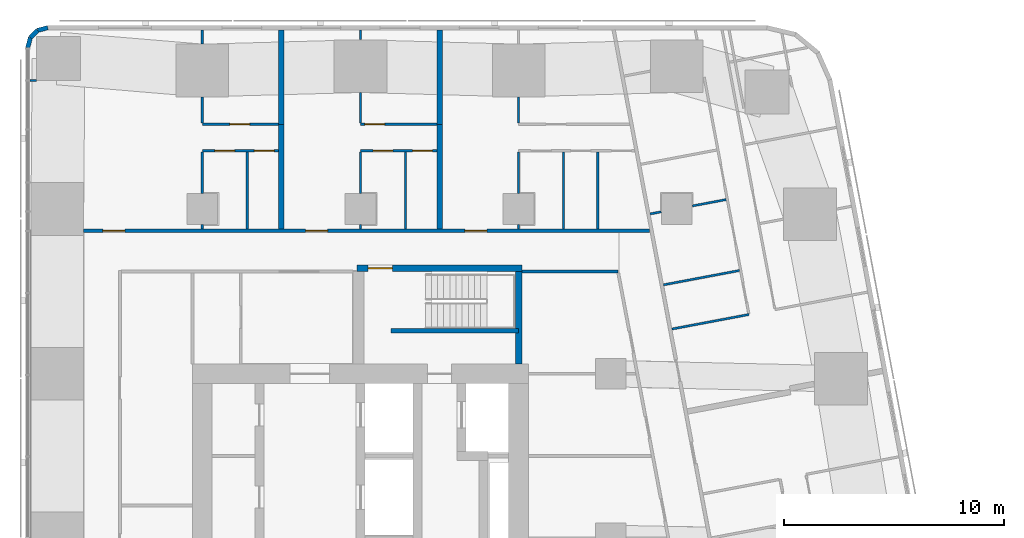
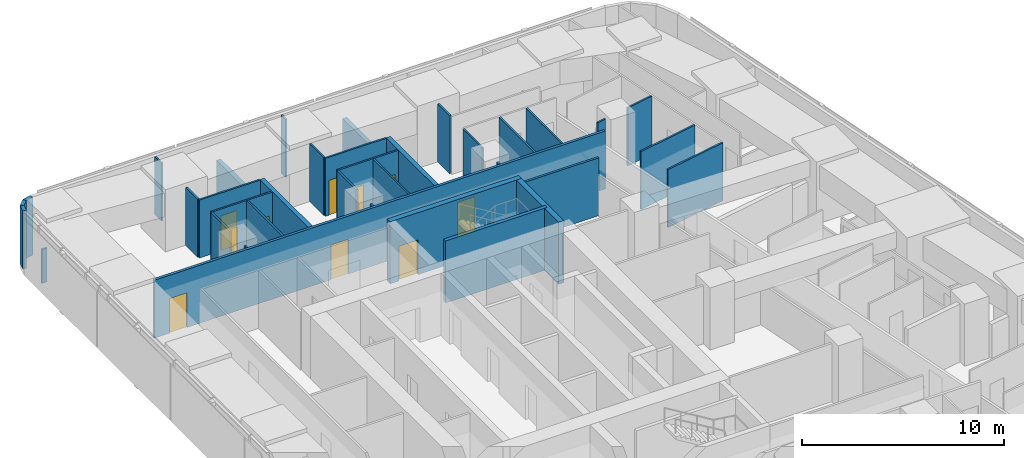
# One storey, part 13 of 17: 36 walls, 10 doors, 10 openings.
"""IFC4 building model written with IfcOpenShell, lengths in metres."""

from ifc_helpers import new_model, si_unit, direction, frame, frame_2d, origin, place, context, subcontext, project, spatial, rectangle, extrude, material, layer, layer_set, type_object, element, fill, save


model = new_model("IFC4")

# Units and contexts
model_context = context("Model", 3, precision=1e-05, world=origin(), true_north=direction((0.0, 1.0)))
body_context = subcontext(model_context, "Body", "Model", "MODEL_VIEW")
ifc_project = project(units=[si_unit("LENGTHUNIT", "METRE"), si_unit("AREAUNIT", "SQUARE_METRE"), si_unit("VOLUMEUNIT", "CUBIC_METRE"), si_unit("PLANEANGLEUNIT", "RADIAN"), si_unit("MASSUNIT", "GRAM", prefix="KILO")], contexts=[model_context])

# Site, building, storey
site_placement = place(None, origin())
site = spatial("IfcSite", under=ifc_project, at=site_placement, CompositionType="ELEMENT")
building_placement = place(site_placement, origin())
building = spatial("IfcBuilding", under=site, at=building_placement, Name="Sheger Commons Tower", CompositionType="ELEMENT")
storey_placement = place(building_placement, frame((0.0, 0.0, 204.949951171875)))
storey = spatial("IfcBuildingStorey", under=building, at=storey_placement, Name="L52", CompositionType="ELEMENT", Elevation=204.949951171875)

# Wall, openings, doors
ifc_material_1 = material(Name="Hollow concrete block masonry, skimmed both sides", Category="masonry")
ifc_layer_1 = layer(ifc_material_1, 0.14990234375)
ifc_layer_set_1 = layer_set([ifc_layer_1], Name="CORRIDOR WALL 150")
wall_type_1 = type_object("IfcWallType", Name="CORRIDOR WALL 150", PredefinedType="SOLIDWALL", material=ifc_layer_set_1)
wall_1_placement = place(storey_placement, frame((9.0009765625, 36.5, 0.0), z_axis=(0.0, 0.0, 1.0), x_axis=(1.0, 0.0, 0.0)))
wall_1 = element("IfcWall", 1, at=wall_1_placement, inside=storey, type_object=wall_type_1, Name="Corridor wall L52", PredefinedType="SOLIDWALL", context=body_context, shape_type="SweptSolid", body=[
    extrude(rectangle(XDim=25.763916015625, YDim=0.14990234375, at=frame_2d((12.8818359375, 0.0))), origin(), (0.0, 0.0, 1.0), 3.5),
])
opening_1_placement = place(wall_1_placement, frame((0.8740234375, 0.0, 0.0)))
opening_1 = element("IfcOpeningElement", 2, at=opening_1_placement, cuts=wall_1, Name="Opening D1", PredefinedType="OPENING", context=body_context, shape_type="SweptSolid", body=[
    extrude(rectangle(XDim=1.0, YDim=2.10009765625, at=frame_2d((0.5, 1.050048828125))), frame((0.0, 0.0849609375, 0.0), z_axis=(0.0, -1.0, 0.0), x_axis=(1.0, 0.0, 0.0)), (0.0, 0.0, 1.0), 0.169921875),
])
opening_2_placement = place(wall_1_placement, frame((10.09912109375, 0.0, 0.0)))
opening_2 = element("IfcOpeningElement", 3, at=opening_2_placement, cuts=wall_1, Name="Opening D1", PredefinedType="OPENING", context=body_context, shape_type="SweptSolid", body=[
    extrude(rectangle(XDim=1.0, YDim=2.10009765625, at=frame_2d((0.5, 1.050048828125))), frame((0.0, 0.0849609375, 0.0), z_axis=(0.0, -1.0, 0.0), x_axis=(1.0, 0.0, 0.0)), (0.0, 0.0, 1.0), 0.169921875),
])
opening_3_placement = place(wall_1_placement, frame((17.35595703125, 0.0, 0.0)))
opening_3 = element("IfcOpeningElement", 4, at=opening_3_placement, cuts=wall_1, Name="Opening D1", PredefinedType="OPENING", context=body_context, shape_type="SweptSolid", body=[
    extrude(rectangle(XDim=1.0, YDim=2.10009765625, at=frame_2d((0.5, 1.050048828125))), frame((0.0, 0.0849609375, 0.0), z_axis=(0.0, -1.0, 0.0), x_axis=(1.0, 0.0, 0.0)), (0.0, 0.0, 1.0), 0.169921875),
])
ifc_material_2 = material(Name="Steel door set, fire rated", Category="steel")
door_type_1 = type_object("IfcDoorType", Name="FLAT ENTRANCE DOOR 1000x2100", OperationType="NOTDEFINED", PredefinedType="DOOR", material=ifc_material_2)
door_1_placement = place(opening_1_placement, origin())
door_1 = element("IfcDoor", 5, at=door_1_placement, inside=storey, type_object=door_type_1, Name="Flat entrance door", OperationType="SINGLE_SWING_LEFT", OverallHeight=2.10009765625, OverallWidth=1.0, PredefinedType="DOOR", context=body_context, shape_type="SweptSolid", body=[
    extrude(rectangle(XDim=1.0, YDim=2.10009765625, at=frame_2d((0.5, 1.050048828125))), frame((0.0, 0.02490234375, 0.0), z_axis=(0.0, -1.0, 0.0), x_axis=(1.0, 0.0, 0.0)), (0.0, 0.0, 1.0), 0.050048828125),
])
fill(opening_1, door_1)
door_2_placement = place(opening_2_placement, origin())
door_2 = element("IfcDoor", 6, at=door_2_placement, inside=storey, type_object=door_type_1, Name="Flat entrance door", OperationType="SINGLE_SWING_LEFT", OverallHeight=2.10009765625, OverallWidth=1.0, PredefinedType="DOOR", context=body_context, shape_type="SweptSolid", body=[
    extrude(rectangle(XDim=1.0, YDim=2.10009765625, at=frame_2d((0.5, 1.050048828125))), frame((0.0, 0.02490234375, 0.0), z_axis=(0.0, -1.0, 0.0), x_axis=(1.0, 0.0, 0.0)), (0.0, 0.0, 1.0), 0.050048828125),
])
fill(opening_2, door_2)
door_3_placement = place(opening_3_placement, origin())
door_3 = element("IfcDoor", 7, at=door_3_placement, inside=storey, type_object=door_type_1, Name="Flat entrance door", OperationType="SINGLE_SWING_LEFT", OverallHeight=2.10009765625, OverallWidth=1.0, PredefinedType="DOOR", context=body_context, shape_type="SweptSolid", body=[
    extrude(rectangle(XDim=1.0, YDim=2.10009765625, at=frame_2d((0.5, 1.050048828125))), frame((0.0, 0.02490234375, 0.0), z_axis=(0.0, -1.0, 0.0), x_axis=(1.0, 0.0, 0.0)), (0.0, 0.0, 1.0), 0.050048828125),
])
fill(opening_3, door_3)

# Walls
ifc_material_3 = material(Name="Dense concrete block masonry, plastered both sides (separating wall between flats)", Category="masonry")
ifc_layer_2 = layer(ifc_material_3, 0.25)
ifc_layer_set_2 = layer_set([ifc_layer_2], Name="DEMISING WALL 250")
wall_type_2 = type_object("IfcWallType", Name="DEMISING WALL 250", PredefinedType="SOLIDWALL", material=ifc_layer_set_2)
wall_2_placement = place(storey_placement, frame((18.0, 41.35009765625, 0.0), z_axis=(0.0, 0.0, 1.0), x_axis=(0.0, 1.0, 0.0)))
element("IfcWall", 8, at=wall_2_placement, inside=storey, type_object=wall_type_2, Name="Demising wall L52", PredefinedType="SOLIDWALL", context=body_context, shape_type="SweptSolid", body=[
    extrude(rectangle(XDim=4.2998046875, YDim=0.25, at=frame_2d((2.14990234375, 0.0))), origin(), (0.0, 0.0, 1.0), 2.050048828125),
])
wall_3_placement = place(storey_placement, frame((18.0, 36.574951171875, 0.0), z_axis=(0.0, 0.0, 1.0), x_axis=(0.0, 1.0, 0.0)))
element("IfcWall", 9, at=wall_3_placement, inside=storey, type_object=wall_type_2, Name="Demising wall L52", PredefinedType="SOLIDWALL", context=body_context, shape_type="SweptSolid", body=[
    extrude(rectangle(XDim=4.775146484375, YDim=0.25, at=frame_2d((2.3876953125, 0.0))), origin(), (0.0, 0.0, 1.0), 3.5),
])
wall_4_placement = place(storey_placement, frame((25.199951171875, 41.35009765625, 0.0), z_axis=(0.0, 0.0, 1.0), x_axis=(0.0, 1.0, 0.0)))
element("IfcWall", 10, at=wall_4_placement, inside=storey, type_object=wall_type_2, Name="Demising wall L52", PredefinedType="SOLIDWALL", context=body_context, shape_type="SweptSolid", body=[
    extrude(rectangle(XDim=4.2998046875, YDim=0.25, at=frame_2d((2.14990234375, 0.0))), origin(), (0.0, 0.0, 1.0), 2.050048828125),
])
wall_5_placement = place(storey_placement, frame((25.199951171875, 36.574951171875, 0.0), z_axis=(0.0, 0.0, 1.0), x_axis=(0.0, 1.0, 0.0)))
element("IfcWall", 11, at=wall_5_placement, inside=storey, type_object=wall_type_2, Name="Demising wall L52", PredefinedType="SOLIDWALL", context=body_context, shape_type="SweptSolid", body=[
    extrude(rectangle(XDim=4.775146484375, YDim=0.25, at=frame_2d((2.3876953125, 0.0))), origin(), (0.0, 0.0, 1.0), 3.5),
])
ifc_material_4 = material(Name="Rendered concrete block masonry, dark grey", Category="masonry")
ifc_layer_3 = layer(ifc_material_4, 0.199951171875)
ifc_layer_set_3 = layer_set([ifc_layer_3], Name="FACADE WALL 200")
wall_type_3 = type_object("IfcWallType", Name="FACADE WALL 200", PredefinedType="SOLIDWALL", material=ifc_layer_set_3)
wall_6_placement = place(storey_placement, frame((7.363037109375, 45.75, 0.0), z_axis=(0.0, 0.0, 1.0), x_axis=(-0.965655254015, -0.259826731483, 0.0)))
element("IfcWall", 12, at=wall_6_placement, inside=storey, type_object=wall_type_3, Name="Facade wall L52", PredefinedType="SOLIDWALL", context=body_context, shape_type="SweptSolid", body=[
    extrude(rectangle(XDim=0.477294921875, YDim=0.199951171875, at=frame_2d((0.23876953125, 0.0))), origin(), (0.0, 0.0, 1.0), 3.5),
])
wall_7_placement = place(storey_placement, frame((6.902099609375, 45.6259765625, 0.0), z_axis=(0.0, 0.0, 1.0), x_axis=(-0.707369890659, -0.706843573776, 0.0)))
element("IfcWall", 13, at=wall_7_placement, inside=storey, type_object=wall_type_3, Name="Facade wall L52", PredefinedType="SOLIDWALL", context=body_context, shape_type="SweptSolid", body=[
    extrude(rectangle(XDim=0.4638671875, YDim=0.199951171875, at=frame_2d((0.23193359375, 0.0))), origin(), (0.0, 0.0, 1.0), 3.5),
])
wall_8_placement = place(storey_placement, frame((6.573974609375, 45.298095703125, 0.0), z_axis=(0.0, 0.0, 1.0), x_axis=(-0.259698463175, -0.965689757751, 0.0)))
element("IfcWall", 14, at=wall_8_placement, inside=storey, type_object=wall_type_3, Name="Facade wall L52", PredefinedType="SOLIDWALL", context=body_context, shape_type="SweptSolid", body=[
    extrude(rectangle(XDim=0.4775390625, YDim=0.199951171875, at=frame_2d((0.23876953125, 0.0))), origin(), (0.0, 0.0, 1.0), 3.5),
])
ifc_material_5 = material(Name="Gypsum board on steel studs", Category="steel")
ifc_layer_4 = layer(ifc_material_5, 0.10009765625)
ifc_layer_set_4 = layer_set([ifc_layer_4], Name="PARTITION 100")
wall_type_4 = type_object("IfcWallType", Name="PARTITION 100", PredefinedType="PARTITIONING", material=ifc_layer_set_4)
wall_9_placement = place(storey_placement, frame((38.25, 37.925048828125, 0.0), z_axis=(0.0, 0.0, 1.0), x_axis=(-0.982610209589, -0.185680305934, 0.0)))
element("IfcWall", 15, at=wall_9_placement, inside=storey, type_object=wall_type_4, Name="Partition L52", PredefinedType="PARTITIONING", context=body_context, shape_type="SweptSolid", body=[
    extrude(rectangle(XDim=1.5673828125, YDim=0.10009765625, at=frame_2d((0.78369140625, 0.0))), origin(), (0.0, 0.0, 1.0), 3.5),
])
wall_10_placement = place(storey_placement, frame((35.2900390625, 37.365966796875, 0.0), z_axis=(0.0, 0.0, 1.0), x_axis=(-0.982715597703, -0.185121727606, 0.0)))
element("IfcWall", 16, at=wall_10_placement, inside=storey, type_object=wall_type_4, Name="Partition L52", PredefinedType="PARTITIONING", context=body_context, shape_type="SweptSolid", body=[
    extrude(rectangle(XDim=0.512939453125, YDim=0.10009765625, at=frame_2d((0.25634765625, 0.0))), origin(), (0.0, 0.0, 1.0), 3.5),
])
wall_11_placement = place(storey_placement, frame((39.2890625, 32.69189453125, 0.0), z_axis=(0.0, 0.0, 1.0), x_axis=(-0.982662827464, -0.185401638399, 0.0)))
element("IfcWall", 17, at=wall_11_placement, inside=storey, type_object=wall_type_4, Name="Partition L52", PredefinedType="PARTITIONING", context=body_context, shape_type="SweptSolid", body=[
    extrude(rectangle(XDim=3.5751953125, YDim=0.10009765625, at=frame_2d((1.78759765625, 0.0))), origin(), (0.0, 0.0, 1.0), 3.5),
])
wall_12_placement = place(storey_placement, frame((38.85888671875, 34.697021484375, 0.0), z_axis=(0.0, 0.0, 1.0), x_axis=(-0.982626628545, -0.185593396635, 0.0)))
element("IfcWall", 18, at=wall_12_placement, inside=storey, type_object=wall_type_4, Name="Partition L52", PredefinedType="PARTITIONING", context=body_context, shape_type="SweptSolid", body=[
    extrude(rectangle(XDim=3.524169921875, YDim=0.10009765625, at=frame_2d((1.76220703125, 0.0))), origin(), (0.0, 0.0, 1.0), 3.5),
])
wall_13_placement = place(storey_placement, frame((6.85400390625, 43.345947265625, 0.0), z_axis=(0.0, 0.0, 1.0), x_axis=(-1.0, 0.0, 0.0)))
element("IfcWall", 19, at=wall_13_placement, inside=storey, type_object=wall_type_4, Name="Partition L52", PredefinedType="PARTITIONING", context=body_context, shape_type="SweptSolid", body=[
    extrude(rectangle(XDim=0.303955078125, YDim=0.10009765625, at=frame_2d((0.15185546875, 0.0))), origin(), (0.0, 0.0, 1.0), 2.050048828125),
])

# Wall, opening, door
wall_14_placement = place(storey_placement, frame((14.39990234375, 41.35009765625, 0.0), z_axis=(0.0, 0.0, 1.0), x_axis=(1.0, 0.0, 0.0)))
wall_14 = element("IfcWall", 20, at=wall_14_placement, inside=storey, type_object=wall_type_4, Name="Partition L52", PredefinedType="PARTITIONING", context=body_context, shape_type="SweptSolid", body=[
    extrude(rectangle(XDim=3.47509765625, YDim=0.10009765625, at=frame_2d((1.737548828125, 0.0))), origin(), (0.0, 0.0, 1.0), 3.5),
])
opening_4_placement = place(wall_14_placement, frame((1.25, 0.0, 0.0)))
opening_4 = element("IfcOpeningElement", 21, at=opening_4_placement, cuts=wall_14, Name="Opening D2", PredefinedType="OPENING", context=body_context, shape_type="SweptSolid", body=[
    extrude(rectangle(XDim=0.89990234375, YDim=2.10009765625, at=frame_2d((0.449951171875, 1.050048828125))), frame((0.0, 0.06005859375, 0.0), z_axis=(0.0, -1.0, 0.0), x_axis=(1.0, 0.0, 0.0)), (0.0, 0.0, 1.0), 0.1201171875),
])
ifc_material_6 = material(Name="Timber door set", Category="wood")
door_type_2 = type_object("IfcDoorType", Name="INTERNAL DOOR 900x2100", OperationType="NOTDEFINED", PredefinedType="DOOR", material=ifc_material_6)
door_4_placement = place(opening_4_placement, origin())
door_4 = element("IfcDoor", 22, at=door_4_placement, inside=storey, type_object=door_type_2, Name="Main bedroom door", OperationType="SINGLE_SWING_LEFT", OverallHeight=2.10009765625, OverallWidth=0.89990234375, PredefinedType="DOOR", context=body_context, shape_type="SweptSolid", body=[
    extrude(rectangle(XDim=0.89990234375, YDim=2.10009765625, at=frame_2d((0.449951171875, 1.050048828125))), frame((0.0, 0.02490234375, 0.0), z_axis=(0.0, -1.0, 0.0), x_axis=(1.0, 0.0, 0.0)), (0.0, 0.0, 1.0), 0.050048828125),
])
fill(opening_4, door_4)

# Wall, openings, doors
wall_15_placement = place(storey_placement, frame((14.39990234375, 40.14990234375, 0.0), z_axis=(0.0, 0.0, 1.0), x_axis=(1.0, 0.0, 0.0)))
wall_15 = element("IfcWall", 23, at=wall_15_placement, inside=storey, type_object=wall_type_4, Name="Partition L52", PredefinedType="PARTITIONING", context=body_context, shape_type="SweptSolid", body=[
    extrude(rectangle(XDim=3.47509765625, YDim=0.10009765625, at=frame_2d((1.737548828125, 0.0))), origin(), (0.0, 0.0, 1.0), 3.5),
])
opening_5_placement = place(wall_15_placement, frame((0.574951171875, 0.0, 0.0)))
opening_5 = element("IfcOpeningElement", 24, at=opening_5_placement, cuts=wall_15, Name="Opening D2", PredefinedType="OPENING", context=body_context, shape_type="SweptSolid", body=[
    extrude(rectangle(XDim=0.89990234375, YDim=2.10009765625, at=frame_2d((0.449951171875, 1.050048828125))), frame((0.0, 0.06005859375, 0.0), z_axis=(0.0, -1.0, 0.0), x_axis=(1.0, 0.0, 0.0)), (0.0, 0.0, 1.0), 0.1201171875),
])
opening_6_placement = place(wall_15_placement, frame((2.375, 0.0, 0.0)))
opening_6 = element("IfcOpeningElement", 25, at=opening_6_placement, cuts=wall_15, Name="Opening D2", PredefinedType="OPENING", context=body_context, shape_type="SweptSolid", body=[
    extrude(rectangle(XDim=0.89990234375, YDim=2.10009765625, at=frame_2d((0.449951171875, 1.050048828125))), frame((0.0, 0.06005859375, 0.0), z_axis=(0.0, -1.0, 0.0), x_axis=(1.0, 0.0, 0.0)), (0.0, 0.0, 1.0), 0.1201171875),
])
door_5_placement = place(opening_5_placement, origin())
door_5 = element("IfcDoor", 26, at=door_5_placement, inside=storey, type_object=door_type_2, Name="Bathroom door", OperationType="SINGLE_SWING_RIGHT", OverallHeight=2.10009765625, OverallWidth=0.89990234375, PredefinedType="DOOR", context=body_context, shape_type="SweptSolid", body=[
    extrude(rectangle(XDim=0.89990234375, YDim=2.10009765625, at=frame_2d((0.449951171875, 1.050048828125))), frame((0.0, 0.02490234375, 0.0), z_axis=(0.0, -1.0, 0.0), x_axis=(1.0, 0.0, 0.0)), (0.0, 0.0, 1.0), 0.050048828125),
])
fill(opening_5, door_5)
door_6_placement = place(opening_6_placement, origin())
door_6 = element("IfcDoor", 27, at=door_6_placement, inside=storey, type_object=door_type_2, Name="Store door", OperationType="SINGLE_SWING_LEFT", OverallHeight=2.10009765625, OverallWidth=0.89990234375, PredefinedType="DOOR", context=body_context, shape_type="SweptSolid", body=[
    extrude(rectangle(XDim=0.89990234375, YDim=2.10009765625, at=frame_2d((0.449951171875, 1.050048828125))), frame((0.0, 0.02490234375, 0.0), z_axis=(0.0, -1.0, 0.0), x_axis=(1.0, 0.0, 0.0)), (0.0, 0.0, 1.0), 0.050048828125),
])
fill(opening_6, door_6)

# Walls
wall_16_placement = place(storey_placement, frame((14.39990234375, 41.39990234375, 0.0), z_axis=(0.0, 0.0, 1.0), x_axis=(0.0, 1.0, 0.0)))
element("IfcWall", 28, at=wall_16_placement, inside=storey, type_object=wall_type_4, Name="Partition L52", PredefinedType="PARTITIONING", context=body_context, shape_type="SweptSolid", body=[
    extrude(rectangle(XDim=1.19921875, YDim=0.10009765625, at=frame_2d((0.599609375, 0.0))), origin(), (0.0, 0.0, 1.0), 3.5),
])
wall_17_placement = place(storey_placement, frame((14.39990234375, 45.0009765625, 0.0), z_axis=(0.0, 0.0, 1.0), x_axis=(0.0, 1.0, 0.0)))
element("IfcWall", 29, at=wall_17_placement, inside=storey, type_object=wall_type_4, Name="Partition L52", PredefinedType="PARTITIONING", context=body_context, shape_type="SweptSolid", body=[
    extrude(rectangle(XDim=0.64892578125, YDim=0.10009765625, at=frame_2d((0.324462890625, 0.0))), origin(), (0.0, 0.0, 1.0), 3.5),
])
wall_18_placement = place(storey_placement, frame((14.39990234375, 36.574951171875, 0.0), z_axis=(0.0, 0.0, 1.0), x_axis=(0.0, 1.0, 0.0)))
element("IfcWall", 30, at=wall_18_placement, inside=storey, type_object=wall_type_4, Name="Partition L52", PredefinedType="PARTITIONING", context=body_context, shape_type="SweptSolid", body=[
    extrude(rectangle(XDim=0.22412109375, YDim=0.10009765625, at=frame_2d((0.112060546875, 0.0))), origin(), (0.0, 0.0, 1.0), 3.5),
])
wall_19_placement = place(storey_placement, frame((14.39990234375, 38.200927734375, 0.0), z_axis=(0.0, 0.0, 1.0), x_axis=(0.0, 1.0, 0.0)))
element("IfcWall", 31, at=wall_19_placement, inside=storey, type_object=wall_type_4, Name="Partition L52", PredefinedType="PARTITIONING", context=body_context, shape_type="SweptSolid", body=[
    extrude(rectangle(XDim=1.899169921875, YDim=0.10009765625, at=frame_2d((0.94970703125, 0.0))), origin(), (0.0, 0.0, 1.0), 3.5),
])
wall_20_placement = place(storey_placement, frame((16.449951171875, 36.574951171875, 0.0), z_axis=(0.0, 0.0, 1.0), x_axis=(0.0, 1.0, 0.0)))
element("IfcWall", 32, at=wall_20_placement, inside=storey, type_object=wall_type_4, Name="Partition L52", PredefinedType="PARTITIONING", context=body_context, shape_type="SweptSolid", body=[
    extrude(rectangle(XDim=3.525146484375, YDim=0.10009765625, at=frame_2d((1.7626953125, 0.0))), origin(), (0.0, 0.0, 1.0), 3.5),
])

# Wall, opening, door
wall_21_placement = place(storey_placement, frame((21.60009765625, 41.35009765625, 0.0), z_axis=(0.0, 0.0, 1.0), x_axis=(1.0, 0.0, 0.0)))
wall_21 = element("IfcWall", 33, at=wall_21_placement, inside=storey, type_object=wall_type_4, Name="Partition L52", PredefinedType="PARTITIONING", context=body_context, shape_type="SweptSolid", body=[
    extrude(rectangle(XDim=3.474853515625, YDim=0.10009765625, at=frame_2d((1.7373046875, 0.0))), origin(), (0.0, 0.0, 1.0), 3.5),
])
opening_7_placement = place(wall_21_placement, frame((0.199951171875, 0.0, 0.0)))
opening_7 = element("IfcOpeningElement", 34, at=opening_7_placement, cuts=wall_21, Name="Opening D2", PredefinedType="OPENING", context=body_context, shape_type="SweptSolid", body=[
    extrude(rectangle(XDim=0.89990234375, YDim=2.10009765625, at=frame_2d((0.449951171875, 1.050048828125))), frame((0.0, 0.06005859375, 0.0), z_axis=(0.0, -1.0, 0.0), x_axis=(1.0, 0.0, 0.0)), (0.0, 0.0, 1.0), 0.1201171875),
])
door_7_placement = place(opening_7_placement, origin())
door_7 = element("IfcDoor", 35, at=door_7_placement, inside=storey, type_object=door_type_2, Name="Main bedroom door", OperationType="SINGLE_SWING_LEFT", OverallHeight=2.10009765625, OverallWidth=0.89990234375, PredefinedType="DOOR", context=body_context, shape_type="SweptSolid", body=[
    extrude(rectangle(XDim=0.89990234375, YDim=2.10009765625, at=frame_2d((0.449951171875, 1.050048828125))), frame((0.0, 0.02490234375, 0.0), z_axis=(0.0, -1.0, 0.0), x_axis=(1.0, 0.0, 0.0)), (0.0, 0.0, 1.0), 0.050048828125),
])
fill(opening_7, door_7)

# Wall, openings, doors
wall_22_placement = place(storey_placement, frame((21.60009765625, 40.14990234375, 0.0), z_axis=(0.0, 0.0, 1.0), x_axis=(1.0, 0.0, 0.0)))
wall_22 = element("IfcWall", 36, at=wall_22_placement, inside=storey, type_object=wall_type_4, Name="Partition L52", PredefinedType="PARTITIONING", context=body_context, shape_type="SweptSolid", body=[
    extrude(rectangle(XDim=3.474853515625, YDim=0.10009765625, at=frame_2d((1.7373046875, 0.0))), origin(), (0.0, 0.0, 1.0), 3.5),
])
opening_8_placement = place(wall_22_placement, frame((0.574951171875, 0.0, 0.0)))
opening_8 = element("IfcOpeningElement", 37, at=opening_8_placement, cuts=wall_22, Name="Opening D2", PredefinedType="OPENING", context=body_context, shape_type="SweptSolid", body=[
    extrude(rectangle(XDim=0.89990234375, YDim=2.10009765625, at=frame_2d((0.449951171875, 1.050048828125))), frame((0.0, 0.06005859375, 0.0), z_axis=(0.0, -1.0, 0.0), x_axis=(1.0, 0.0, 0.0)), (0.0, 0.0, 1.0), 0.1201171875),
])
opening_9_placement = place(wall_22_placement, frame((2.375, 0.0, 0.0)))
opening_9 = element("IfcOpeningElement", 38, at=opening_9_placement, cuts=wall_22, Name="Opening D2", PredefinedType="OPENING", context=body_context, shape_type="SweptSolid", body=[
    extrude(rectangle(XDim=0.89990234375, YDim=2.10009765625, at=frame_2d((0.449951171875, 1.050048828125))), frame((0.0, 0.06005859375, 0.0), z_axis=(0.0, -1.0, 0.0), x_axis=(1.0, 0.0, 0.0)), (0.0, 0.0, 1.0), 0.1201171875),
])
door_8_placement = place(opening_8_placement, origin())
door_8 = element("IfcDoor", 39, at=door_8_placement, inside=storey, type_object=door_type_2, Name="Bathroom door", OperationType="SINGLE_SWING_RIGHT", OverallHeight=2.10009765625, OverallWidth=0.89990234375, PredefinedType="DOOR", context=body_context, shape_type="SweptSolid", body=[
    extrude(rectangle(XDim=0.89990234375, YDim=2.10009765625, at=frame_2d((0.449951171875, 1.050048828125))), frame((0.0, 0.02490234375, 0.0), z_axis=(0.0, -1.0, 0.0), x_axis=(1.0, 0.0, 0.0)), (0.0, 0.0, 1.0), 0.050048828125),
])
fill(opening_8, door_8)
door_9_placement = place(opening_9_placement, origin())
door_9 = element("IfcDoor", 40, at=door_9_placement, inside=storey, type_object=door_type_2, Name="Store door", OperationType="SINGLE_SWING_LEFT", OverallHeight=2.10009765625, OverallWidth=0.89990234375, PredefinedType="DOOR", context=body_context, shape_type="SweptSolid", body=[
    extrude(rectangle(XDim=0.89990234375, YDim=2.10009765625, at=frame_2d((0.449951171875, 1.050048828125))), frame((0.0, 0.02490234375, 0.0), z_axis=(0.0, -1.0, 0.0), x_axis=(1.0, 0.0, 0.0)), (0.0, 0.0, 1.0), 0.050048828125),
])
fill(opening_9, door_9)

# Walls
wall_23_placement = place(storey_placement, frame((21.60009765625, 41.39990234375, 0.0), z_axis=(0.0, 0.0, 1.0), x_axis=(0.0, 1.0, 0.0)))
element("IfcWall", 41, at=wall_23_placement, inside=storey, type_object=wall_type_4, Name="Partition L52", PredefinedType="PARTITIONING", context=body_context, shape_type="SweptSolid", body=[
    extrude(rectangle(XDim=1.399169921875, YDim=0.10009765625, at=frame_2d((0.69970703125, 0.0))), origin(), (0.0, 0.0, 1.0), 3.5),
])
wall_24_placement = place(storey_placement, frame((21.60009765625, 45.200927734375, 0.0), z_axis=(0.0, 0.0, 1.0), x_axis=(0.0, 1.0, 0.0)))
element("IfcWall", 42, at=wall_24_placement, inside=storey, type_object=wall_type_4, Name="Partition L52", PredefinedType="PARTITIONING", context=body_context, shape_type="SweptSolid", body=[
    extrude(rectangle(XDim=0.448974609375, YDim=0.10009765625, at=frame_2d((0.224609375, 0.0))), origin(), (0.0, 0.0, 1.0), 3.5),
])
wall_25_placement = place(storey_placement, frame((21.60009765625, 36.574951171875, 0.0), z_axis=(0.0, 0.0, 1.0), x_axis=(0.0, 1.0, 0.0)))
element("IfcWall", 43, at=wall_25_placement, inside=storey, type_object=wall_type_4, Name="Partition L52", PredefinedType="PARTITIONING", context=body_context, shape_type="SweptSolid", body=[
    extrude(rectangle(XDim=0.22412109375, YDim=0.10009765625, at=frame_2d((0.112060546875, 0.0))), origin(), (0.0, 0.0, 1.0), 3.5),
])
wall_26_placement = place(storey_placement, frame((21.60009765625, 38.200927734375, 0.0), z_axis=(0.0, 0.0, 1.0), x_axis=(0.0, 1.0, 0.0)))
element("IfcWall", 44, at=wall_26_placement, inside=storey, type_object=wall_type_4, Name="Partition L52", PredefinedType="PARTITIONING", context=body_context, shape_type="SweptSolid", body=[
    extrude(rectangle(XDim=1.899169921875, YDim=0.10009765625, at=frame_2d((0.94970703125, 0.0))), origin(), (0.0, 0.0, 1.0), 3.5),
])
wall_27_placement = place(storey_placement, frame((23.64990234375, 36.574951171875, 0.0), z_axis=(0.0, 0.0, 1.0), x_axis=(0.0, 1.0, 0.0)))
element("IfcWall", 45, at=wall_27_placement, inside=storey, type_object=wall_type_4, Name="Partition L52", PredefinedType="PARTITIONING", context=body_context, shape_type="SweptSolid", body=[
    extrude(rectangle(XDim=3.525146484375, YDim=0.10009765625, at=frame_2d((1.7626953125, 0.0))), origin(), (0.0, 0.0, 1.0), 3.5),
])
wall_28_placement = place(storey_placement, frame((28.800048828125, 41.39990234375, 0.0), z_axis=(0.0, 0.0, 1.0), x_axis=(0.0, 1.0, 0.0)))
element("IfcWall", 46, at=wall_28_placement, inside=storey, type_object=wall_type_4, Name="Partition L52", PredefinedType="PARTITIONING", context=body_context, shape_type="SweptSolid", body=[
    extrude(rectangle(XDim=1.19921875, YDim=0.10009765625, at=frame_2d((0.599609375, 0.0))), origin(), (0.0, 0.0, 1.0), 3.5),
])
wall_29_placement = place(storey_placement, frame((28.800048828125, 36.574951171875, 0.0), z_axis=(0.0, 0.0, 1.0), x_axis=(0.0, 1.0, 0.0)))
element("IfcWall", 47, at=wall_29_placement, inside=storey, type_object=wall_type_4, Name="Partition L52", PredefinedType="PARTITIONING", context=body_context, shape_type="SweptSolid", body=[
    extrude(rectangle(XDim=0.22412109375, YDim=0.10009765625, at=frame_2d((0.112060546875, 0.0))), origin(), (0.0, 0.0, 1.0), 3.5),
])
wall_30_placement = place(storey_placement, frame((28.800048828125, 38.200927734375, 0.0), z_axis=(0.0, 0.0, 1.0), x_axis=(0.0, 1.0, 0.0)))
element("IfcWall", 48, at=wall_30_placement, inside=storey, type_object=wall_type_4, Name="Partition L52", PredefinedType="PARTITIONING", context=body_context, shape_type="SweptSolid", body=[
    extrude(rectangle(XDim=1.899169921875, YDim=0.10009765625, at=frame_2d((0.94970703125, 0.0))), origin(), (0.0, 0.0, 1.0), 3.5),
])
for number, where, z_axis, x_axis, name in (
    (49, (32.39990234375, 36.574951171875, 0.0), (0.0, 0.0, 1.0), (0.0, 1.0, 0.0), "Partition L52"),
    (50, (30.85009765625, 36.574951171875, 0.0), (0.0, 0.0, 1.0), (0.0, 1.0, 0.0), "Partition L52"),
):
    element("IfcWall", number, at=place(storey_placement, frame(where, z_axis=z_axis, x_axis=x_axis)), inside=storey, type_object=wall_type_4, Name=name, PredefinedType="PARTITIONING", context=body_context, shape_type="SweptSolid", body=[
        extrude(rectangle(XDim=3.525146484375, YDim=0.10009765625, at=frame_2d((1.7626953125, 0.0))), origin(), (0.0, 0.0, 1.0), 3.5),
    ])
ifc_material_7 = material(Name="Gypsum board on steel studs, two layers each side, fire rated", Category="steel")
ifc_layer_5 = layer(ifc_material_7, 0.125)
ifc_layer_set_5 = layer_set([ifc_layer_5], Name="SERVICE WALL 125")
wall_type_5 = type_object("IfcWallType", Name="SERVICE WALL 125", PredefinedType="PARTITIONING", material=ifc_layer_set_5)
wall_31_placement = place(storey_placement, frame((28.949951171875, 34.64990234375, 0.0), z_axis=(0.0, 0.0, 1.0), x_axis=(1.0, 0.0, 0.0)))
element("IfcWall", 51, at=wall_31_placement, inside=storey, type_object=wall_type_5, Name="Service room wall L52", PredefinedType="PARTITIONING", context=body_context, shape_type="SweptSolid", body=[
    extrude(rectangle(XDim=4.381103515625, YDim=0.125, at=frame_2d((2.1904296875, 0.0))), origin(), (0.0, 0.0, 1.0), 3.5),
])

# Wall, opening, door
ifc_material_8 = material(Name="Concrete C50/60", Category="concrete")
ifc_layer_6 = layer(ifc_material_8, 0.300048828125)
ifc_layer_set_6 = layer_set([ifc_layer_6], Name="STAIR CORE WALL 300")
wall_type_6 = type_object("IfcWallType", Name="STAIR CORE WALL 300", PredefinedType="SHEAR", material=ifc_layer_set_6)
wall_32_placement = place(storey_placement, frame((21.449951171875, 34.800048828125, 0.0), z_axis=(0.0, 0.0, 1.0), x_axis=(1.0, 0.0, 0.0)))
wall_32 = element("IfcWall", 52, at=wall_32_placement, inside=storey, type_object=wall_type_6, Name="STW-L52-S2N", PredefinedType="SHEAR", context=body_context, shape_type="SweptSolid", body=[
    extrude(rectangle(XDim=7.5, YDim=0.300048828125, at=frame_2d((3.75, 0.0))), origin(), (0.0, 0.0, 1.0), 3.75),
])
opening_10_placement = place(wall_32_placement, frame((0.5, 0.0, 0.0)))
opening_10 = element("IfcOpeningElement", 53, at=opening_10_placement, cuts=wall_32, Name="Opening D5", PredefinedType="OPENING", context=body_context, shape_type="SweptSolid", body=[
    extrude(rectangle(XDim=1.10009765625, YDim=2.10009765625, at=frame_2d((0.550048828125, 1.050048828125))), frame((0.0, 0.159912109375, 0.0), z_axis=(0.0, -1.0, 0.0), x_axis=(1.0, 0.0, 0.0)), (0.0, 0.0, 1.0), 0.320068359375),
])
ifc_material_9 = material(Name="Steel door set, fire rated", Category="steel")
door_type_3 = type_object("IfcDoorType", Name="STAIR DOOR 1100x2100", OperationType="NOTDEFINED", PredefinedType="DOOR", material=ifc_material_9)
door_10_placement = place(opening_10_placement, origin())
door_10 = element("IfcDoor", 54, at=door_10_placement, inside=storey, type_object=door_type_3, Name="Stair S2 door", OperationType="SINGLE_SWING_RIGHT", OverallHeight=2.10009765625, OverallWidth=1.10009765625, PredefinedType="DOOR", context=body_context, shape_type="SweptSolid", body=[
    extrude(rectangle(XDim=1.10009765625, YDim=2.10009765625, at=frame_2d((0.550048828125, 1.050048828125))), frame((0.0, 0.02490234375, 0.0), z_axis=(0.0, -1.0, 0.0), x_axis=(1.0, 0.0, 0.0)), (0.0, 0.0, 1.0), 0.050048828125),
])
fill(opening_10, door_10)

# Walls
wall_33_placement = place(storey_placement, frame((28.800048828125, 30.449951171875, 0.0), z_axis=(0.0, 0.0, 1.0), x_axis=(0.0, 1.0, 0.0)))
element("IfcWall", 55, at=wall_33_placement, inside=storey, type_object=wall_type_6, Name="STW-L52-S2E", PredefinedType="SHEAR", context=body_context, shape_type="SweptSolid", body=[
    extrude(rectangle(XDim=4.199951171875, YDim=0.300048828125, at=frame_2d((2.10009765625, 0.0))), origin(), (0.0, 0.0, 1.0), 3.75),
])
ifc_material_10 = material(Name="Concrete C50/60", Category="concrete")
ifc_layer_7 = layer(ifc_material_10, 0.199951171875)
ifc_layer_set_7 = layer_set([ifc_layer_7], Name="STAIR SPINE WALL 200")
wall_type_7 = type_object("IfcWallType", Name="STAIR SPINE WALL 200", PredefinedType="SHEAR", material=ifc_layer_set_7)
wall_34_placement = place(storey_placement, frame((23.0, 31.949951171875, 0.0), z_axis=(0.0, 0.0, 1.0), x_axis=(1.0, 0.0, 0.0)))
element("IfcWall", 56, at=wall_34_placement, inside=storey, type_object=wall_type_7, Name="Stair spine wall L52", PredefinedType="SHEAR", context=body_context, shape_type="SweptSolid", body=[
    extrude(rectangle(XDim=5.800048828125, YDim=0.199951171875, at=frame_2d((2.89990234375, 0.0))), origin(), (0.0, 0.0, 1.0), 3.75),
])

save(model, "model.ifc")
